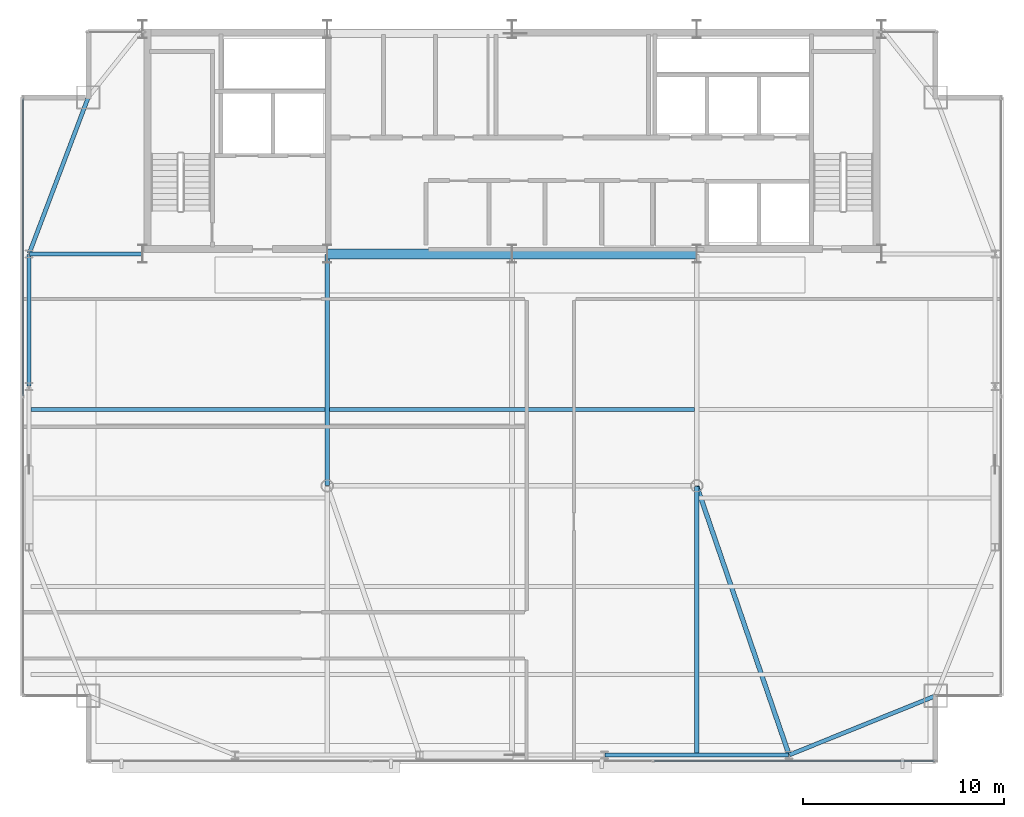
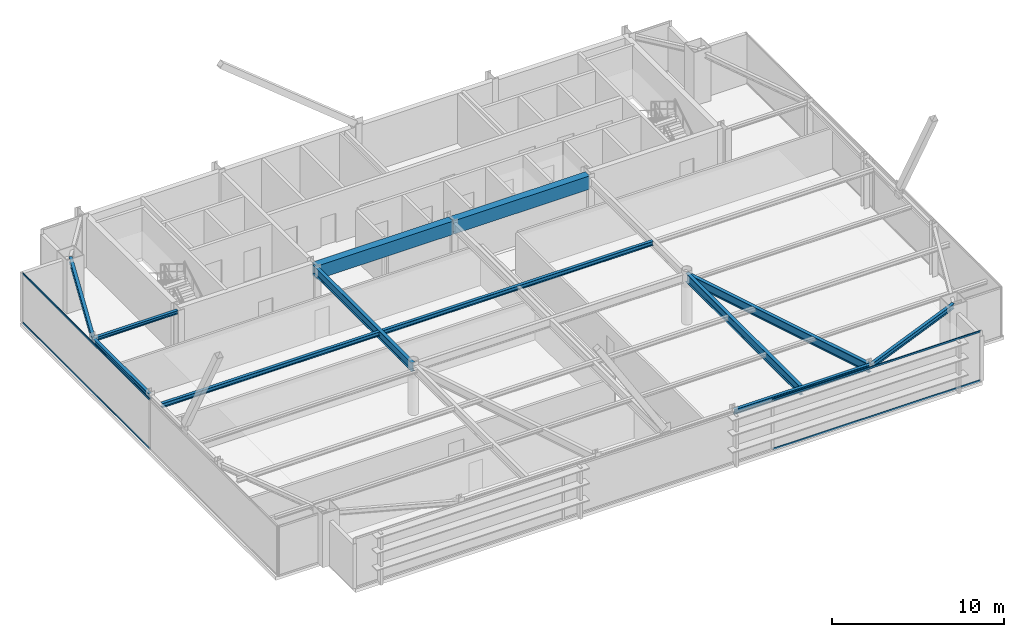
# One storey, part 11 of 27: 12 beams, 4 members, 2 elements without a shape of their own.
"""IFC4 building model written with IfcOpenShell, lengths in metres."""

from ifc_helpers import new_model, si_unit, direction, frame, origin, origin_2d, place, context, subcontext, project, spatial, rectangle, hollow_rectangle, i_section, extrude, source, transform, mapped, material, layer, layer_set, material_profile, profile_set, type_object, type_shapes, element, aggregate, save


model = new_model("IFC4")

# Units and contexts
model_context = context("Model", 3, precision=1e-05, world=origin(), true_north=direction((0.0, 1.0)))
body_context = subcontext(model_context, "Body", "Model", "MODEL_VIEW")
ifc_project = project(units=[si_unit("LENGTHUNIT", "METRE"), si_unit("AREAUNIT", "SQUARE_METRE"), si_unit("VOLUMEUNIT", "CUBIC_METRE"), si_unit("PLANEANGLEUNIT", "RADIAN"), si_unit("MASSUNIT", "GRAM", prefix="KILO")], contexts=[model_context])

# Site, building, storey
site_placement = place(None, origin())
site = spatial("IfcSite", under=ifc_project, at=site_placement, CompositionType="ELEMENT")
building_placement = place(site_placement, origin())
building = spatial("IfcBuilding", under=site, at=building_placement, Name="Varnel Quay Broadcast Tower", CompositionType="ELEMENT")
storey_placement = place(building_placement, frame((0.0, 0.0, 243.199951171875)))
storey = spatial("IfcBuildingStorey", under=building, at=storey_placement, Name="L60", CompositionType="ELEMENT", Elevation=243.199951171875)

# Beams
ifc_material_1 = material(Name="Concrete CSA A23.3 C50/60", Category="concrete")
ifc_material_profile_1 = material_profile(ifc_material_1, rectangle(XDim=0.5, YDim=0.949951171875, at=origin_2d()), Name="RC500X950")
ifc_profile_set_1 = profile_set([ifc_material_profile_1], Name="Concrete CSA A23.3 C50/60")
beam_type_1 = type_object("IfcBeamType", Name="Beam_RC500X950", PredefinedType="BEAM", material=ifc_profile_set_1)
shared_shape_1 = source(origin(), body_context, "Body", "SweptSolid", [
    extrude(rectangle(XDim=0.5, YDim=0.949951171875, at=origin_2d()), origin(), (0.0, 0.0, 1.0), 9.159912109375),
])
type_shapes(beam_type_1, [shared_shape_1])
for number, where, z_axis, x_axis, name in (
    (1, (24.820068359375, 35.60009765625, 3.074951171875), (1.0, 0.0, 0.0), (0.0, 1.0, 0.0), "L60 Core Coupling Beam W"),
    (2, (34.02001953125, 35.60009765625, 3.074951171875), (1.0, 0.0, 0.0), (0.0, 1.0, 0.0), "L60 Core Coupling Beam E"),
):
    element("IfcBeam", number, at=place(storey_placement, frame(where, z_axis=z_axis, x_axis=x_axis)), inside=storey, type_object=beam_type_1, Name=name, PredefinedType="BEAM", context=body_context, shape_type="MappedRepresentation", body=[
        mapped(shared_shape_1, transform((0.0, 0.0, 0.0), x_axis=(1.0, 0.0, 0.0), y_axis=(0.0, 1.0, 0.0), z_axis=(0.0, 0.0, 1.0), scale=1.0)),
    ])
ifc_material_2 = material(Name="Structural Steel CSA G40.21 350W", Category="steel")
ifc_material_profile_2 = material_profile(ifc_material_2, i_section(OverallWidth=0.205078125, OverallDepth=0.35400390625, WebThickness=0.009521484375, FlangeThickness=0.016845703125, FilletRadius=0.012939453125, at=origin_2d()), Name="W360X79")
ifc_profile_set_2 = profile_set([ifc_material_profile_2], Name="Structural Steel CSA G40.21 350W")
beam_type_2 = type_object("IfcBeamType", Name="Beam_W360X79", PredefinedType="SPANDREL", material=ifc_profile_set_2)
shared_shape_2 = source(origin(), body_context, "Body", "SweptSolid", [
    extrude(i_section(OverallWidth=0.205078125, OverallDepth=0.35400390625, WebThickness=0.009521484375, FlangeThickness=0.016845703125, FilletRadius=0.012939453125, at=origin_2d()), origin(), (0.0, 0.0, 1.0), 7.83349609375),
])
beam_1_placement = place(storey_placement, frame((47.818603515625, 10.657470703125, 3.373046875), z_axis=(0.927155449606, 0.374676890489, 0.0), x_axis=(-0.374676890489, 0.927155449606, 0.0)))
element("IfcBeam", 3, at=beam_1_placement, inside=storey, type_object=beam_type_2, Name="L60 South Spandrel TC-S4-MC-SE", PredefinedType="SPANDREL", context=body_context, shape_type="MappedRepresentation", body=[
    mapped(shared_shape_2, transform((0.0, 0.0, 0.0), x_axis=(1.0, 0.0, 0.0), y_axis=(0.0, 1.0, 0.0), z_axis=(0.0, 0.0, 1.0), scale=1.0)),
])
shared_shape_3 = source(origin(), body_context, "Body", "SweptSolid", [
    extrude(i_section(OverallWidth=0.205078125, OverallDepth=0.35400390625, WebThickness=0.009521484375, FlangeThickness=0.016845703125, FilletRadius=0.012939453125, at=origin_2d()), origin(), (0.0, 0.0, 1.0), 9.159912109375),
])
beam_2_placement = place(storey_placement, frame((38.6201171875, 10.64990234375, 3.373046875), z_axis=(1.0, 0.0, 0.0), x_axis=(0.0, 1.0, 0.0)))
element("IfcBeam", 4, at=beam_2_placement, inside=storey, type_object=beam_type_2, Name="L60 South Spandrel TC-S3-TC-S4", PredefinedType="SPANDREL", context=body_context, shape_type="MappedRepresentation", body=[
    mapped(shared_shape_3, transform((0.0, 0.0, 0.0), x_axis=(1.0, 0.0, 0.0), y_axis=(0.0, 1.0, 0.0), z_axis=(0.0, 0.0, 1.0), scale=1.0)),
])
shared_shape_4 = source(origin(), body_context, "Body", "SweptSolid", [
    extrude(i_section(OverallWidth=0.205078125, OverallDepth=0.35400390625, WebThickness=0.009521484375, FlangeThickness=0.016845703125, FilletRadius=0.012939453125, at=origin_2d()), origin(), (0.0, 0.0, 1.0), 6.56005859375),
])
beam_3_placement = place(storey_placement, frame((9.949951171875, 29.02001953125, 3.373046875), z_axis=(0.0, 1.0, 0.0), x_axis=(-1.0, 0.0, 0.0)))
element("IfcBeam", 5, at=beam_3_placement, inside=storey, type_object=beam_type_2, Name="L60 West Spandrel TC-W2-TC-W3", PredefinedType="SPANDREL", context=body_context, shape_type="MappedRepresentation", body=[
    mapped(shared_shape_4, transform((0.0, 0.0, 0.0), x_axis=(1.0, 0.0, 0.0), y_axis=(0.0, 1.0, 0.0), z_axis=(0.0, 0.0, 1.0), scale=1.0)),
])
shared_shape_5 = source(origin(), body_context, "Body", "SweptSolid", [
    extrude(i_section(OverallWidth=0.205078125, OverallDepth=0.35400390625, WebThickness=0.009521484375, FlangeThickness=0.016845703125, FilletRadius=0.012939453125, at=origin_2d()), origin(), (0.0, 0.0, 1.0), 8.29931640625),
])
type_shapes(beam_type_2, [shared_shape_2, shared_shape_3, shared_shape_4, shared_shape_5])
beam_4_placement = place(storey_placement, frame((9.95703125, 35.61865234375, 3.373046875), z_axis=(0.353739782058, 0.935343876117, 0.0), x_axis=(-0.935343876117, 0.353739782058, 0.0)))
element("IfcBeam", 6, at=beam_4_placement, inside=storey, type_object=beam_type_2, Name="L60 West Spandrel TC-W3-MC-NW", PredefinedType="SPANDREL", context=body_context, shape_type="MappedRepresentation", body=[
    mapped(shared_shape_5, transform((0.0, 0.0, 0.0), x_axis=(1.0, 0.0, 0.0), y_axis=(0.0, 1.0, 0.0), z_axis=(0.0, 0.0, 1.0), scale=1.0)),
])
ifc_material_profile_3 = material_profile(ifc_material_2, i_section(OverallWidth=0.22998046875, OverallDepth=0.616943359375, WebThickness=0.01318359375, FlangeThickness=0.022216796875, FilletRadius=0.01611328125, at=origin_2d()), Name="W610X140")
ifc_profile_set_3 = profile_set([ifc_material_profile_3], Name="Structural Steel CSA G40.21 350W")
beam_type_3 = type_object("IfcBeamType", Name="Girder_W610X140", PredefinedType="BEAM", material=ifc_profile_set_3)
shared_shape_6 = source(origin(), body_context, "Body", "SweptSolid", [
    extrude(i_section(OverallWidth=0.22998046875, OverallDepth=0.616943359375, WebThickness=0.01318359375, FlangeThickness=0.022216796875, FilletRadius=0.01611328125, at=origin_2d()), origin(), (0.0, 0.0, 1.0), 14.12744140625),
])
beam_5_placement = place(storey_placement, frame((47.79345703125, 10.6689453125, 3.241455078125), z_axis=(-0.324681288447, 0.945823482967, 0.0), x_axis=(-0.945823482967, -0.324681288447, 0.0)))
element("IfcBeam", 7, at=beam_5_placement, inside=storey, type_object=beam_type_3, Name="L60 Primary Girder TC-S4-IC-02", PredefinedType="BEAM", context=body_context, shape_type="MappedRepresentation", body=[
    mapped(shared_shape_6, transform((0.0, 0.0, 0.0), x_axis=(1.0, 0.0, 0.0), y_axis=(0.0, 1.0, 0.0), z_axis=(0.0, 0.0, 1.0), scale=1.0)),
])
shared_shape_7 = source(origin(), body_context, "Body", "SweptSolid", [
    extrude(i_section(OverallWidth=0.22998046875, OverallDepth=0.616943359375, WebThickness=0.01318359375, FlangeThickness=0.022216796875, FilletRadius=0.01611328125, at=origin_2d()), origin(), (0.0, 0.0, 1.0), 11.510009765625),
])
beam_6_placement = place(storey_placement, frame((24.800048828125, 24.070068359375, 3.241455078125), z_axis=(0.0, 1.0, 0.0), x_axis=(-1.0, 0.0, 0.0)))
element("IfcBeam", 8, at=beam_6_placement, inside=storey, type_object=beam_type_3, Name="L60 Primary Girder IC-01-CC-S2", PredefinedType="BEAM", context=body_context, shape_type="MappedRepresentation", body=[
    mapped(shared_shape_7, transform((0.0, 0.0, 0.0), x_axis=(1.0, 0.0, 0.0), y_axis=(0.0, 1.0, 0.0), z_axis=(0.0, 0.0, 1.0), scale=1.0)),
])
shared_shape_8 = source(origin(), body_context, "Body", "SweptSolid", [
    extrude(i_section(OverallWidth=0.22998046875, OverallDepth=0.616943359375, WebThickness=0.01318359375, FlangeThickness=0.022216796875, FilletRadius=0.01611328125, at=origin_2d()), origin(), (0.0, 0.0, 1.0), 13.360107421875),
])
type_shapes(beam_type_3, [shared_shape_6, shared_shape_7, shared_shape_8])
beam_7_placement = place(storey_placement, frame((43.199951171875, 10.669921875, 3.241455078125), z_axis=(0.0, 1.0, 0.0), x_axis=(-1.0, 0.0, 0.0)))
element("IfcBeam", 9, at=beam_7_placement, inside=storey, type_object=beam_type_3, Name="L60 N-S Joist Header IC-02S", PredefinedType="BEAM", context=body_context, shape_type="MappedRepresentation", body=[
    mapped(shared_shape_8, transform((0.0, 0.0, 0.0), x_axis=(1.0, 0.0, 0.0), y_axis=(0.0, 1.0, 0.0), z_axis=(0.0, 0.0, 1.0), scale=1.0)),
])
ifc_material_profile_4 = material_profile(ifc_material_2, i_section(OverallWidth=0.201904296875, OverallDepth=0.2470703125, WebThickness=0.00732421875, FlangeThickness=0.010986328125, FilletRadius=0.010986328125, at=origin_2d()), Name="W250X49")
ifc_profile_set_4 = profile_set([ifc_material_profile_4], Name="Structural Steel CSA G40.21 350W")
beam_type_4 = type_object("IfcBeamType", Name="Beam_W250X49", PredefinedType="JOIST", material=ifc_profile_set_4)
shared_shape_9 = source(origin(), body_context, "Body", "SweptSolid", [
    extrude(i_section(OverallWidth=0.201904296875, OverallDepth=0.2470703125, WebThickness=0.00732421875, FlangeThickness=0.010986328125, FilletRadius=0.010986328125, at=origin_2d()), origin(), (0.0, 0.0, 1.0), 5.610107421875),
])
type_shapes(beam_type_4, [shared_shape_9])
beam_8_placement = place(storey_placement, frame((9.969970703125, 35.60009765625, 3.426513671875), z_axis=(1.0, 0.0, 0.0), x_axis=(0.0, 1.0, 0.0)))
element("IfcBeam", 10, at=beam_8_placement, inside=storey, type_object=beam_type_4, Name="L60 West Core Tie Joist", PredefinedType="JOIST", context=body_context, shape_type="MappedRepresentation", body=[
    mapped(shared_shape_9, transform((0.0, 0.0, 0.0), x_axis=(1.0, 0.0, 0.0), y_axis=(0.0, 1.0, 0.0), z_axis=(0.0, 0.0, 1.0), scale=1.0)),
])
ifc_material_profile_5 = material_profile(ifc_material_2, i_section(OverallWidth=0.202880859375, OverallDepth=0.302978515625, WebThickness=0.007568359375, FlangeThickness=0.01318359375, FilletRadius=0.011962890625, at=origin_2d()), Name="W310X60")
ifc_profile_set_5 = profile_set([ifc_material_profile_5], Name="Structural Steel CSA G40.21 350W")
beam_type_5 = type_object("IfcBeamType", Name="Beam_W310X60", PredefinedType="JOIST", material=ifc_profile_set_5)
shared_shape_10 = source(origin(), body_context, "Body", "SweptSolid", [
    extrude(i_section(OverallWidth=0.202880859375, OverallDepth=0.302978515625, WebThickness=0.007568359375, FlangeThickness=0.01318359375, FilletRadius=0.011962890625, at=origin_2d()), origin(), (0.0, 0.0, 1.0), 14.642333984375),
])
beam_9_placement = place(storey_placement, frame((10.047607421875, 27.85009765625, 3.3984375), z_axis=(1.0, 0.0, 0.0), x_axis=(0.0, 1.0, 0.0)))
element("IfcBeam", 11, at=beam_9_placement, inside=storey, type_object=beam_type_5, Name="L60 West Floor Joist 4", PredefinedType="JOIST", context=body_context, shape_type="MappedRepresentation", body=[
    mapped(shared_shape_10, transform((0.0, 0.0, 0.0), x_axis=(1.0, 0.0, 0.0), y_axis=(0.0, 1.0, 0.0), z_axis=(0.0, 0.0, 1.0), scale=1.0)),
])
shared_shape_11 = source(origin(), body_context, "Body", "SweptSolid", [
    extrude(i_section(OverallWidth=0.202880859375, OverallDepth=0.302978515625, WebThickness=0.007568359375, FlangeThickness=0.01318359375, FilletRadius=0.011962890625, at=origin_2d()), origin(), (0.0, 0.0, 1.0), 18.18017578125),
])
type_shapes(beam_type_5, [shared_shape_10, shared_shape_11])
beam_10_placement = place(storey_placement, frame((24.909912109375, 27.85009765625, 3.3984375), z_axis=(1.0, 0.0, 0.0), x_axis=(0.0, 1.0, 0.0)))
element("IfcBeam", 12, at=beam_10_placement, inside=storey, type_object=beam_type_5, Name="L60 Central Floor Joist 4", PredefinedType="JOIST", context=body_context, shape_type="MappedRepresentation", body=[
    mapped(shared_shape_11, transform((0.0, 0.0, 0.0), x_axis=(1.0, 0.0, 0.0), y_axis=(0.0, 1.0, 0.0), z_axis=(0.0, 0.0, 1.0), scale=1.0)),
])

# Curtain wall, members
ifc_material_3 = material(Name="Anodised Bronze Aluminium 6063-T6", Category="aluminium")
ifc_layer = layer(ifc_material_3, 0.18994140625, Name="Anodised Bronze Aluminium 6063-T6")
ifc_layer_set = layer_set([ifc_layer], Name="Anodised Bronze Aluminium 6063-T6")
curtain_wall_type = type_object("IfcCurtainWallType", Name="CW_UpperTower", PredefinedType="NOTDEFINED", material=ifc_layer_set)
curtain_wall_1_placement = place(storey_placement, origin())
curtain_wall_1 = element("IfcCurtainWall", 13, at=curtain_wall_1_placement, inside=storey, type_object=curtain_wall_type, Name="L60 West Unitised Curtain Wall", PredefinedType="NOTDEFINED")
ifc_material_profile_6 = material_profile(ifc_material_3, hollow_rectangle(XDim=0.06005859375, YDim=0.125, WallThickness=0.0029296875, at=origin_2d()), Name="ALU60X125X3")
ifc_profile_set_6 = profile_set([ifc_material_profile_6], Name="Anodised Bronze Aluminium 6063-T6")
member_type = type_object("IfcMemberType", Name="Tran_CWS-03", PredefinedType="USERDEFINED", material=ifc_profile_set_6)
shared_shape_12 = source(origin(), body_context, "Body", "SweptSolid", [
    extrude(hollow_rectangle(XDim=0.06005859375, YDim=0.125, WallThickness=0.0029296875, at=origin_2d()), origin(), (0.0, 0.0, 1.0), 14.802490234375),
])
member_1_placement = place(storey_placement, frame((9.64990234375, 28.532470703125, 0.030029296875), z_axis=(0.0, 1.0, 0.0), x_axis=(-1.0, 0.0, 0.0)))
member_1 = element("IfcMember", 14, at=member_1_placement, type_object=member_type, Name="CWS-03 transom 2.1", ObjectType="TRANSOM", PredefinedType="USERDEFINED", context=body_context, shape_type="MappedRepresentation", body=[
    mapped(shared_shape_12, transform((0.0, 0.0, 0.0), x_axis=(1.0, 0.0, 0.0), y_axis=(0.0, 1.0, 0.0), z_axis=(0.0, 0.0, 1.0), scale=1.0)),
])
member_2_placement = place(storey_placement, frame((9.64990234375, 28.532470703125, 3.52001953125), z_axis=(0.0, 1.0, 0.0), x_axis=(-1.0, 0.0, 0.0)))
member_2 = element("IfcMember", 15, at=member_2_placement, type_object=member_type, Name="CWS-03 transom 2.2", ObjectType="TRANSOM", PredefinedType="USERDEFINED", context=body_context, shape_type="MappedRepresentation", body=[
    mapped(shared_shape_12, transform((0.0, 0.0, 0.0), x_axis=(1.0, 0.0, 0.0), y_axis=(0.0, 1.0, 0.0), z_axis=(0.0, 0.0, 1.0), scale=1.0)),
])
aggregate(curtain_wall_1, [member_1, member_2])

curtain_wall_2_placement = place(storey_placement, origin())
curtain_wall_2 = element("IfcCurtainWall", 16, at=curtain_wall_2_placement, inside=storey, type_object=curtain_wall_type, Name="L60 South Unitised Curtain Wall 1", PredefinedType="NOTDEFINED")
shared_shape_13 = source(origin(), body_context, "Body", "SweptSolid", [
    extrude(hollow_rectangle(XDim=0.06005859375, YDim=0.125, WallThickness=0.0029296875, at=origin_2d()), origin(), (0.0, 0.0, 1.0), 13.968994140625),
])
type_shapes(member_type, [shared_shape_12, shared_shape_13])
member_3_placement = place(storey_placement, frame((41.06591796875, 10.35009765625, 0.030029296875), z_axis=(1.0, 0.0, 0.0), x_axis=(0.0, 1.0, 0.0)))
member_3 = element("IfcMember", 17, at=member_3_placement, type_object=member_type, Name="CWS-03 transom 3.1", ObjectType="TRANSOM", PredefinedType="USERDEFINED", context=body_context, shape_type="MappedRepresentation", body=[
    mapped(shared_shape_13, transform((0.0, 0.0, 0.0), x_axis=(1.0, 0.0, 0.0), y_axis=(0.0, 1.0, 0.0), z_axis=(0.0, 0.0, 1.0), scale=1.0)),
])
member_4_placement = place(storey_placement, frame((41.06591796875, 10.35009765625, 3.52001953125), z_axis=(1.0, 0.0, 0.0), x_axis=(0.0, 1.0, 0.0)))
member_4 = element("IfcMember", 18, at=member_4_placement, type_object=member_type, Name="CWS-03 transom 3.2", ObjectType="TRANSOM", PredefinedType="USERDEFINED", context=body_context, shape_type="MappedRepresentation", body=[
    mapped(shared_shape_13, transform((0.0, 0.0, 0.0), x_axis=(1.0, 0.0, 0.0), y_axis=(0.0, 1.0, 0.0), z_axis=(0.0, 0.0, 1.0), scale=1.0)),
])
aggregate(curtain_wall_2, [member_3, member_4])

save(model, "model.ifc")
